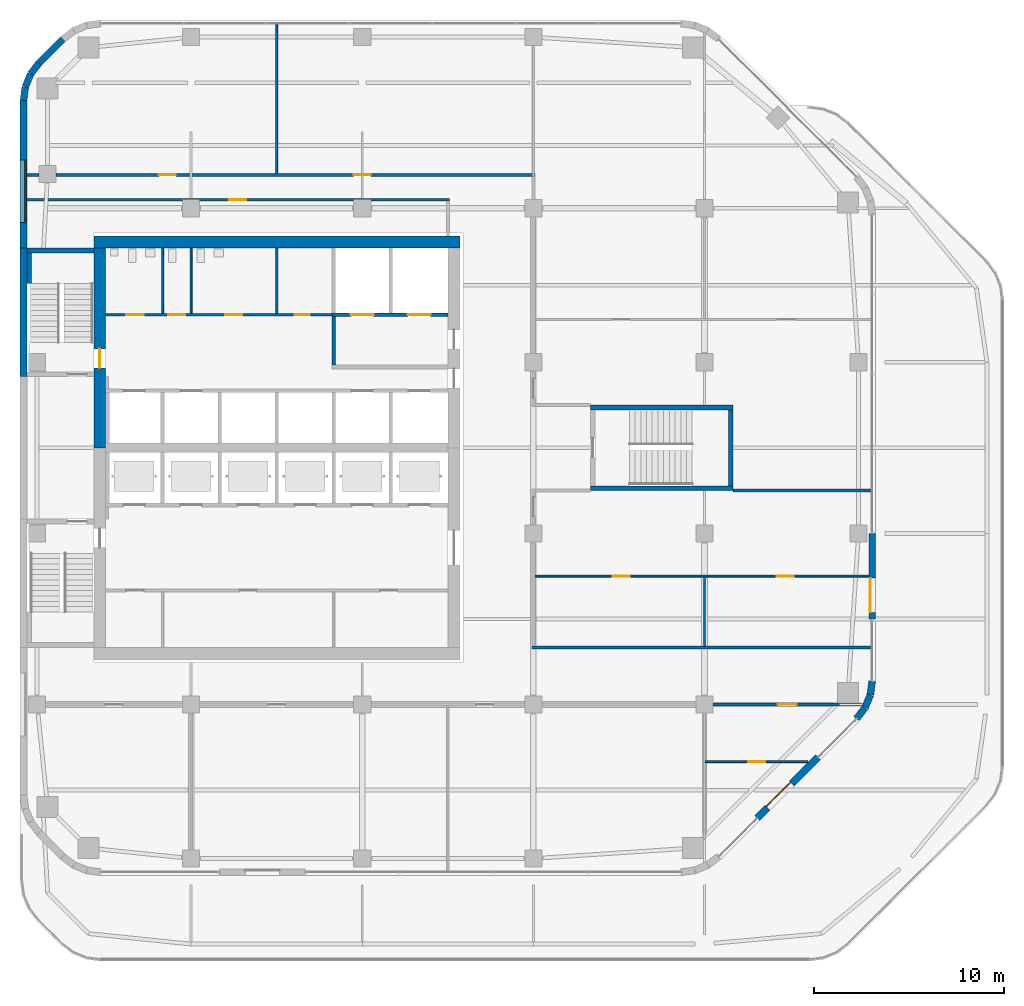
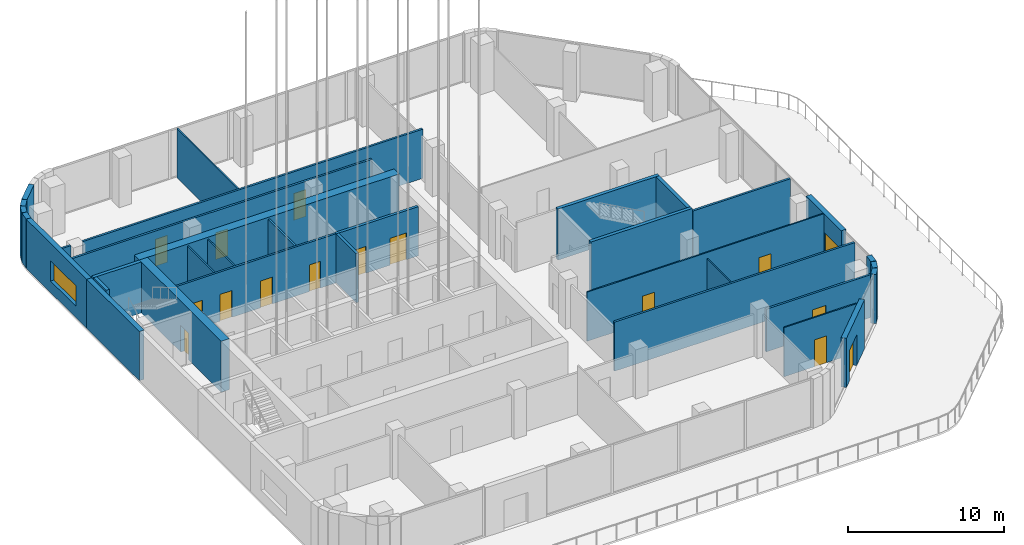
# One storey, part 25 of 29: 34 walls, 16 doors, 1 window, 17 openings.
"""IFC4 building model written with IfcOpenShell, lengths in metres."""

from ifc_helpers import new_model, si_unit, direction, frame, frame_2d, origin, place, context, subcontext, project, spatial, rectangle, extrude, material, layer, layer_set, type_object, element, fill, save


model = new_model("IFC4")

# Units and contexts
model_context = context("Model", 3, precision=1e-05, world=origin(), true_north=direction((0.0, 1.0)))
body_context = subcontext(model_context, "Body", "Model", "MODEL_VIEW")
ifc_project = project(units=[si_unit("LENGTHUNIT", "METRE"), si_unit("AREAUNIT", "SQUARE_METRE"), si_unit("VOLUMEUNIT", "CUBIC_METRE"), si_unit("PLANEANGLEUNIT", "RADIAN"), si_unit("MASSUNIT", "GRAM", prefix="KILO")], contexts=[model_context])

# Site, building, storey
site_placement = place(None, origin())
site = spatial("IfcSite", under=ifc_project, at=site_placement, CompositionType="ELEMENT")
building_placement = place(site_placement, origin())
building = spatial("IfcBuilding", under=site, at=building_placement, Name="Cinnabar Reach Civic Tower", CompositionType="ELEMENT")
storey_placement = place(building_placement, frame((0.0, 0.0, 149.0)))
storey = spatial("IfcBuildingStorey", under=building, at=storey_placement, Name="L35", CompositionType="ELEMENT", Elevation=149.0)

# Walls
ifc_material_1 = material(Name="Facing brick with insulated backing", Category="masonry")
ifc_layer_1 = layer(ifc_material_1, 0.36)
ifc_layer_set_1 = layer_set([ifc_layer_1], Name="Brick corner wall")
wall_type_1 = type_object("IfcWallType", Name="Brick corner wall", PredefinedType="STANDARD", material=ifc_layer_set_1)
wall_1_placement = place(storey_placement, frame((43.9998, 17.2587, 0.0), z_axis=(0.0, 0.0, 1.0), x_axis=(0.608802368033, 0.793321924995, 0.0)))
element("IfcWall", 1, at=wall_1_placement, inside=storey, type_object=wall_type_1, Name="Brick corner wall", PredefinedType="STANDARD", context=body_context, shape_type="SweptSolid", body=[
    extrude(rectangle(XDim=0.7132, YDim=0.36, at=frame_2d((0.3566, 0.0))), origin(), (0.0, 0.0, 1.0), 3.85),
])
for number, where, z_axis, x_axis, name in (
    (2, (44.4452, 17.8439, 0.0), (0.0, 0.0, 1.0), (0.382702709855, 0.923871547278, 0.0), "Brick corner wall"),
    (3, (44.7239, 18.5244, 0.0), (0.0, 0.0, 1.0), (0.13055608231, 0.99144092581, 0.0), "Brick corner wall"),
):
    element("IfcWall", number, at=place(storey_placement, frame(where, z_axis=z_axis, x_axis=x_axis)), inside=storey, type_object=wall_type_1, Name=name, PredefinedType="STANDARD", context=body_context, shape_type="SweptSolid", body=[
        extrude(rectangle(XDim=0.7131, YDim=0.36, at=frame_2d((0.3565, 0.0))), origin(), (0.0, 0.0, 1.0), 3.85),
    ])
wall_2_placement = place(storey_placement, frame((1.0002, 51.7413, 0.0), z_axis=(0.0, 0.0, 1.0), x_axis=(-0.608802368033, -0.793321924995, 0.0)))
element("IfcWall", 4, at=wall_2_placement, inside=storey, type_object=wall_type_1, Name="Brick corner wall", PredefinedType="STANDARD", context=body_context, shape_type="SweptSolid", body=[
    extrude(rectangle(XDim=0.7132, YDim=0.36, at=frame_2d((0.3566, 0.0))), origin(), (0.0, 0.0, 1.0), 3.85),
])
for number, where, z_axis, x_axis, name in (
    (5, (0.5548, 51.1561, 0.0), (0.0, 0.0, 1.0), (-0.382702709855, -0.923871547278, 0.0), "Brick corner wall"),
    (6, (0.2761, 50.4756, 0.0), (0.0, 0.0, 1.0), (-0.13055608231, -0.99144092581, 0.0), "Brick corner wall"),
):
    element("IfcWall", number, at=place(storey_placement, frame(where, z_axis=z_axis, x_axis=x_axis)), inside=storey, type_object=wall_type_1, Name=name, PredefinedType="STANDARD", context=body_context, shape_type="SweptSolid", body=[
        extrude(rectangle(XDim=0.7131, YDim=0.36, at=frame_2d((0.3565, 0.0))), origin(), (0.0, 0.0, 1.0), 3.85),
    ])

# Wall, opening, door
ifc_layer_2 = layer(ifc_material_1, 0.36)
ifc_layer_set_2 = layer_set([ifc_layer_2], Name="Brick pier and spandrel wall")
wall_type_2 = type_object("IfcWallType", Name="Brick pier and spandrel wall", PredefinedType="STANDARD", material=ifc_layer_set_2)
wall_3_placement = place(storey_placement, frame((38.7817, 12.0363, 0.0), z_axis=(0.0, 0.0, 1.0), x_axis=(0.707106781187, 0.707106781187, 0.0)))
wall_3 = element("IfcWall", 7, at=wall_3_placement, inside=storey, type_object=wall_type_2, Name="Brick facade wall", PredefinedType="STANDARD", context=body_context, shape_type="SweptSolid", body=[
    extrude(rectangle(XDim=4.5, YDim=0.36, at=frame_2d((2.25, 0.0))), origin(), (0.0, 0.0, 1.0), 3.85),
])
opening_1_placement = place(wall_3_placement, frame((0.75, 0.0, 0.0)))
opening_1 = element("IfcOpeningElement", 8, at=opening_1_placement, cuts=wall_3, Name="Opening D7508", PredefinedType="OPENING", context=body_context, shape_type="SweptSolid", body=[
    extrude(rectangle(XDim=1.8, YDim=2.4, at=frame_2d((0.9, 1.2))), frame((0.0, 0.19, 0.0), z_axis=(0.0, -1.0, 0.0), x_axis=(1.0, 0.0, 0.0)), (0.0, 0.0, 1.0), 0.38),
])
ifc_material_2 = material(Name="Clear glazing in aluminium frame", Category="aluminium")
door_type_1 = type_object("IfcDoorType", Name="Facade terrace double door", OperationType="SINGLE_SWING_LEFT", PredefinedType="DOOR", material=ifc_material_2)
door_1_placement = place(opening_1_placement, frame((1.8, 0.0, 0.0), z_axis=(0.0, 0.0, 1.0), x_axis=(-1.0, 0.0, 0.0)))
door_1 = element("IfcDoor", 9, at=door_1_placement, inside=storey, type_object=door_type_1, Name="Terrace door", OperationType="DOUBLE_DOOR_SINGLE_SWING", OverallHeight=2.4, OverallWidth=1.8, PredefinedType="DOOR", context=body_context, shape_type="SweptSolid", body=[
    extrude(rectangle(XDim=1.8, YDim=2.4, at=frame_2d((0.9, 1.2))), frame((0.0, -0.07, 0.0), z_axis=(0.0, -1.0, 0.0), x_axis=(1.0, 0.0, 0.0)), (0.0, 0.0, 1.0), 0.05),
])
fill(opening_1, door_1)

wall_4_placement = place(storey_placement, frame((44.82, 22.5, 0.0), z_axis=(0.0, 0.0, 1.0), x_axis=(0.0, 1.0, 0.0)))
wall_4 = element("IfcWall", 10, at=wall_4_placement, inside=storey, type_object=wall_type_2, Name="Brick facade wall", PredefinedType="STANDARD", context=body_context, shape_type="SweptSolid", body=[
    extrude(rectangle(XDim=4.5, YDim=0.36, at=frame_2d((2.25, 0.0))), origin(), (0.0, 0.0, 1.0), 3.85),
])
opening_2_placement = place(wall_4_placement, frame((0.35, 0.0, 0.0)))
opening_2 = element("IfcOpeningElement", 11, at=opening_2_placement, cuts=wall_4, Name="Opening D7509", PredefinedType="OPENING", context=body_context, shape_type="SweptSolid", body=[
    extrude(rectangle(XDim=1.8, YDim=2.4, at=frame_2d((0.9, 1.2))), frame((0.0, 0.19, 0.0), z_axis=(0.0, -1.0, 0.0), x_axis=(1.0, 0.0, 0.0)), (0.0, 0.0, 1.0), 0.38),
])
door_2_placement = place(opening_2_placement, frame((1.8, 0.0, 0.0), z_axis=(0.0, 0.0, 1.0), x_axis=(-1.0, 0.0, 0.0)))
door_2 = element("IfcDoor", 12, at=door_2_placement, inside=storey, type_object=door_type_1, Name="Terrace door", OperationType="DOUBLE_DOOR_SINGLE_SWING", OverallHeight=2.4, OverallWidth=1.8, PredefinedType="DOOR", context=body_context, shape_type="SweptSolid", body=[
    extrude(rectangle(XDim=1.8, YDim=2.4, at=frame_2d((0.9, 1.2))), frame((0.0, -0.07, 0.0), z_axis=(0.0, -1.0, 0.0), x_axis=(1.0, 0.0, 0.0)), (0.0, 0.0, 1.0), 0.05),
])
fill(opening_2, door_2)

# Wall
wall_5_placement = place(storey_placement, frame((2.2486, 52.994, 0.0), z_axis=(0.0, 0.0, 1.0), x_axis=(-0.707106781187, -0.707106781187, 0.0)))
element("IfcWall", 13, at=wall_5_placement, inside=storey, type_object=wall_type_2, Name="Brick facade wall", PredefinedType="STANDARD", context=body_context, shape_type="SweptSolid", body=[
    extrude(rectangle(XDim=1.7573, YDim=0.36, at=frame_2d((0.8787, 0.0))), origin(), (0.0, 0.0, 1.0), 3.85),
])

# Wall, opening, window
wall_6_placement = place(storey_placement, frame((0.18, 49.7574, 0.0), z_axis=(0.0, 0.0, 1.0), x_axis=(0.0, -1.0, 0.0)))
wall_6 = element("IfcWall", 14, at=wall_6_placement, inside=storey, type_object=wall_type_2, Name="Brick facade wall", PredefinedType="STANDARD", context=body_context, shape_type="SweptSolid", body=[
    extrude(rectangle(XDim=7.7574, YDim=0.36, at=frame_2d((3.8787, 0.0))), origin(), (0.0, 0.0, 1.0), 3.85),
])
opening_3_placement = place(wall_6_placement, frame((3.1074, 0.0, 0.9)))
opening_3 = element("IfcOpeningElement", 15, at=opening_3_placement, cuts=wall_6, Name="Opening W1739", PredefinedType="OPENING", context=body_context, shape_type="SweptSolid", body=[
    extrude(rectangle(XDim=3.3, YDim=1.6, at=frame_2d((1.65, 0.8))), frame((0.0, 0.19, 0.0), z_axis=(0.0, -1.0, 0.0), x_axis=(1.0, 0.0, 0.0)), (0.0, 0.0, 1.0), 0.38),
])
ifc_material_3 = material(Name="Clear double glazing in aluminium frame", Category="aluminium")
window_type = type_object("IfcWindowType", Name="Deep-set window A", PartitioningType="SINGLE_PANEL", PredefinedType="WINDOW", material=ifc_material_3)
window_placement = place(opening_3_placement, origin())
window = element("IfcWindow", 16, at=window_placement, inside=storey, type_object=window_type, Name="Window west face", OverallHeight=1.6, OverallWidth=3.3, PartitioningType="SINGLE_PANEL", PredefinedType="WINDOW", context=body_context, shape_type="SweptSolid", body=[
    extrude(rectangle(XDim=3.3, YDim=1.6, at=frame_2d((1.65, 0.8))), frame((0.0, 0.13, 0.0), z_axis=(0.0, -1.0, 0.0), x_axis=(1.0, 0.0, 0.0)), (0.0, 0.0, 1.0), 0.06),
])
fill(opening_3, window)

# Wall
wall_7_placement = place(storey_placement, frame((0.18, 42.0, 0.0), z_axis=(0.0, 0.0, 1.0), x_axis=(0.0, -1.0, 0.0)))
element("IfcWall", 17, at=wall_7_placement, inside=storey, type_object=wall_type_2, Name="Brick facade wall", PredefinedType="STANDARD", context=body_context, shape_type="SweptSolid", body=[
    extrude(rectangle(XDim=6.75, YDim=0.36, at=frame_2d((3.375, 0.0))), origin(), (0.0, 0.0, 1.0), 3.85),
])

# Wall, opening, door
ifc_material_4 = material(Name="Concrete C70", Category="concrete")
ifc_layer_3 = layer(ifc_material_4, 0.6)
ifc_layer_set_3 = layer_set([ifc_layer_3], Name="Core wall 600 EI 180")
wall_type_3 = type_object("IfcWallType", Name="Core wall 600 EI 180", PredefinedType="SOLIDWALL", material=ifc_layer_set_3)
wall_8_placement = place(storey_placement, frame((4.2, 42.0, 0.0), z_axis=(0.0, 0.0, 1.0), x_axis=(0.0, -1.0, 0.0)))
wall_8 = element("IfcWall", 18, at=wall_8_placement, inside=storey, type_object=wall_type_3, Name="Core wall T1 L35 W", PredefinedType="SOLIDWALL", context=body_context, shape_type="SweptSolid", body=[
    extrude(rectangle(XDim=10.5, YDim=0.6, at=frame_2d((5.25, 0.0))), origin(), (0.0, 0.0, 1.0), 4.0),
])
opening_4_placement = place(wall_8_placement, frame((5.3, 0.0, 0.0)))
opening_4 = element("IfcOpeningElement", 19, at=opening_4_placement, cuts=wall_8, Name="Opening D4413", PredefinedType="OPENING", context=body_context, shape_type="SweptSolid", body=[
    extrude(rectangle(XDim=1.0, YDim=2.1, at=frame_2d((0.5, 1.05))), frame((0.0, 0.31, 0.0), z_axis=(0.0, -1.0, 0.0), x_axis=(1.0, 0.0, 0.0)), (0.0, 0.0, 1.0), 0.62),
])
ifc_material_5 = material(Name="Timber door leaf in steel frame", Category="steel")
door_type_2 = type_object("IfcDoorType", Name="Stair door 1000 x 2100 T1", OperationType="SINGLE_SWING_LEFT", PredefinedType="DOOR", material=ifc_material_5)
door_3_placement = place(opening_4_placement, frame((1.0, 0.0, 0.0), z_axis=(0.0, 0.0, 1.0), x_axis=(-1.0, 0.0, 0.0)))
door_3 = element("IfcDoor", 20, at=door_3_placement, inside=storey, type_object=door_type_2, Name="Door D4413", OperationType="SINGLE_SWING_LEFT", OverallHeight=2.1, OverallWidth=1.0, PredefinedType="DOOR", context=body_context, shape_type="SweptSolid", body=[
    extrude(rectangle(XDim=1.0, YDim=2.1, at=frame_2d((0.5, 1.05))), frame((0.0, 0.025, 0.0), z_axis=(0.0, -1.0, 0.0), x_axis=(1.0, 0.0, 0.0)), (0.0, 0.0, 1.0), 0.05),
])
fill(opening_4, door_3)

# Wall
ifc_layer_4 = layer(ifc_material_4, 0.65)
ifc_layer_set_4 = layer_set([ifc_layer_4], Name="Core wall 650 EI 180")
wall_type_4 = type_object("IfcWallType", Name="Core wall 650 EI 180", PredefinedType="SOLIDWALL", material=ifc_layer_set_4)
wall_9_placement = place(storey_placement, frame((23.15, 42.325, 0.0), z_axis=(0.0, 0.0, 1.0), x_axis=(-1.0, 0.0, 0.0)))
element("IfcWall", 21, at=wall_9_placement, inside=storey, type_object=wall_type_4, Name="Core wall T1 L35 N", PredefinedType="SOLIDWALL", context=body_context, shape_type="SweptSolid", body=[
    extrude(rectangle(XDim=19.25, YDim=0.65, at=frame_2d((9.625, 0.0))), origin(), (0.0, 0.0, 1.0), 4.0),
])

# Wall, opening, door
ifc_material_6 = material(Name="Gypsum board on steel studs, double layer", Category="steel")
ifc_layer_5 = layer(ifc_material_6, 0.15)
ifc_layer_set_5 = layer_set([ifc_layer_5], Name="Corridor wall 150 T1")
wall_type_5 = type_object("IfcWallType", Name="Corridor wall 150 T1", PredefinedType="PARTITIONING", material=ifc_layer_set_5)
wall_10_placement = place(storey_placement, frame((36.45, 18.0, 0.0), z_axis=(0.0, 0.0, 1.0), x_axis=(1.0, 0.0, 0.0)))
wall_10 = element("IfcWall", 22, at=wall_10_placement, inside=storey, type_object=wall_type_5, Name="Corridor wall 24", PredefinedType="PARTITIONING", context=body_context, shape_type="SweptSolid", body=[
    extrude(rectangle(XDim=7.834, YDim=0.15, at=frame_2d((3.917, 0.0))), origin(), (0.0, 0.0, 1.0), 3.35),
])
opening_5_placement = place(wall_10_placement, frame((3.4, 0.0, 0.0)))
opening_5 = element("IfcOpeningElement", 23, at=opening_5_placement, cuts=wall_10, Name="Opening D4447", PredefinedType="OPENING", context=body_context, shape_type="SweptSolid", body=[
    extrude(rectangle(XDim=1.0, YDim=2.1, at=frame_2d((0.5, 1.05))), frame((0.0, 0.085, 0.0), z_axis=(0.0, -1.0, 0.0), x_axis=(1.0, 0.0, 0.0)), (0.0, 0.0, 1.0), 0.17),
])
door_type_3 = type_object("IfcDoorType", Name="Tenancy entrance door 1000 x 2100 T1", OperationType="SINGLE_SWING_LEFT", PredefinedType="DOOR", material=ifc_material_5)
door_4_placement = place(opening_5_placement, frame((1.0, 0.0, 0.0), z_axis=(0.0, 0.0, 1.0), x_axis=(-1.0, 0.0, 0.0)))
door_4 = element("IfcDoor", 24, at=door_4_placement, inside=storey, type_object=door_type_3, Name="Door D4447", OperationType="SINGLE_SWING_LEFT", OverallHeight=2.1, OverallWidth=1.0, PredefinedType="DOOR", context=body_context, shape_type="SweptSolid", body=[
    extrude(rectangle(XDim=1.0, YDim=2.1, at=frame_2d((0.5, 1.05))), frame((0.0, 0.025, 0.0), z_axis=(0.0, -1.0, 0.0), x_axis=(1.0, 0.0, 0.0)), (0.0, 0.0, 1.0), 0.05),
])
fill(opening_5, door_4)

# Wall, openings, doors
wall_11_placement = place(storey_placement, frame((1.9031, 45.85, 0.0), z_axis=(0.0, 0.0, 1.0), x_axis=(1.0, 0.0, 0.0)))
wall_11 = element("IfcWall", 25, at=wall_11_placement, inside=storey, type_object=wall_type_5, Name="Corridor wall 25", PredefinedType="PARTITIONING", context=body_context, shape_type="SweptSolid", body=[
    extrude(rectangle(XDim=25.1719, YDim=0.15, at=frame_2d((12.586, 0.0))), origin(), (0.0, 0.0, 1.0), 3.85),
])
opening_6_placement = place(wall_11_placement, frame((5.4, 0.0, 0.0)))
opening_6 = element("IfcOpeningElement", 26, at=opening_6_placement, cuts=wall_11, Name="Opening D4449", PredefinedType="OPENING", context=body_context, shape_type="SweptSolid", body=[
    extrude(rectangle(XDim=0.9, YDim=2.1, at=frame_2d((0.45, 1.05))), frame((0.0, 0.085, 0.0), z_axis=(0.0, -1.0, 0.0), x_axis=(1.0, 0.0, 0.0)), (0.0, 0.0, 1.0), 0.17),
])
opening_7_placement = place(wall_11_placement, frame((15.6469, 0.0, 0.0)))
opening_7 = element("IfcOpeningElement", 27, at=opening_7_placement, cuts=wall_11, Name="Opening D4450", PredefinedType="OPENING", context=body_context, shape_type="SweptSolid", body=[
    extrude(rectangle(XDim=0.9, YDim=2.1, at=frame_2d((0.45, 1.05))), frame((0.0, 0.085, 0.0), z_axis=(0.0, -1.0, 0.0), x_axis=(1.0, 0.0, 0.0)), (0.0, 0.0, 1.0), 0.17),
])
door_type_4 = type_object("IfcDoorType", Name="Single swing door 900 x 2100 corridor T1", OperationType="SINGLE_SWING_LEFT", PredefinedType="DOOR", material=ifc_material_5)
door_5_placement = place(opening_6_placement, origin())
door_5 = element("IfcDoor", 28, at=door_5_placement, inside=storey, type_object=door_type_4, Name="Door D4449", OperationType="SINGLE_SWING_RIGHT", OverallHeight=2.1, OverallWidth=0.9, PredefinedType="DOOR", context=body_context, shape_type="SweptSolid", body=[
    extrude(rectangle(XDim=0.9, YDim=2.1, at=frame_2d((0.45, 1.05))), frame((0.0, 0.025, 0.0), z_axis=(0.0, -1.0, 0.0), x_axis=(1.0, 0.0, 0.0)), (0.0, 0.0, 1.0), 0.05),
])
fill(opening_6, door_5)
door_6_placement = place(opening_7_placement, origin())
door_6 = element("IfcDoor", 29, at=door_6_placement, inside=storey, type_object=door_type_4, Name="Door D4450", OperationType="SINGLE_SWING_RIGHT", OverallHeight=2.1, OverallWidth=0.9, PredefinedType="DOOR", context=body_context, shape_type="SweptSolid", body=[
    extrude(rectangle(XDim=0.9, YDim=2.1, at=frame_2d((0.45, 1.05))), frame((0.0, 0.025, 0.0), z_axis=(0.0, -1.0, 0.0), x_axis=(1.0, 0.0, 0.0)), (0.0, 0.0, 1.0), 0.05),
])
fill(opening_7, door_6)

# Wall
wall_12_placement = place(storey_placement, frame((0.36, 45.85, 0.0), z_axis=(0.0, 0.0, 1.0), x_axis=(1.0, 0.0, 0.0)))
element("IfcWall", 30, at=wall_12_placement, inside=storey, type_object=wall_type_5, Name="Corridor wall 26", PredefinedType="PARTITIONING", context=body_context, shape_type="SweptSolid", body=[
    extrude(rectangle(XDim=0.6431, YDim=0.15, at=frame_2d((0.3216, 0.0))), origin(), (0.0, 0.0, 1.0), 3.85),
])

# Wall, opening, door
wall_13_placement = place(storey_placement, frame((0.36, 44.55, 0.0), z_axis=(0.0, 0.0, 1.0), x_axis=(1.0, 0.0, 0.0)))
wall_13 = element("IfcWall", 31, at=wall_13_placement, inside=storey, type_object=wall_type_5, Name="Corridor wall 27", PredefinedType="PARTITIONING", context=body_context, shape_type="SweptSolid", body=[
    extrude(rectangle(XDim=22.215, YDim=0.15, at=frame_2d((11.1075, 0.0))), origin(), (0.0, 0.0, 1.0), 3.85),
])
opening_8_placement = place(wall_13_placement, frame((10.65, 0.0, 0.0)))
opening_8 = element("IfcOpeningElement", 32, at=opening_8_placement, cuts=wall_13, Name="Opening D5792", PredefinedType="OPENING", context=body_context, shape_type="SweptSolid", body=[
    extrude(rectangle(XDim=0.9, YDim=2.1, at=frame_2d((0.45, 1.05))), frame((0.0, 0.085, 0.0), z_axis=(0.0, -1.0, 0.0), x_axis=(1.0, 0.0, 0.0)), (0.0, 0.0, 1.0), 0.17),
])
door_7_placement = place(opening_8_placement, frame((0.9, 0.0, 0.0), z_axis=(0.0, 0.0, 1.0), x_axis=(-1.0, 0.0, 0.0)))
door_7 = element("IfcDoor", 33, at=door_7_placement, inside=storey, type_object=door_type_4, Name="Door D5792", OperationType="SINGLE_SWING_RIGHT", OverallHeight=2.1, OverallWidth=0.9, PredefinedType="DOOR", context=body_context, shape_type="SweptSolid", body=[
    extrude(rectangle(XDim=0.9, YDim=2.1, at=frame_2d((0.45, 1.05))), frame((0.0, 0.025, 0.0), z_axis=(0.0, -1.0, 0.0), x_axis=(1.0, 0.0, 0.0)), (0.0, 0.0, 1.0), 0.05),
])
fill(opening_8, door_7)

# Wall
wall_14_placement = place(storey_placement, frame((26.925, 21.0, 0.0), z_axis=(0.0, 0.0, 1.0), x_axis=(1.0, 0.0, 0.0)))
element("IfcWall", 34, at=wall_14_placement, inside=storey, type_object=wall_type_5, Name="Corridor wall 29", PredefinedType="PARTITIONING", context=body_context, shape_type="SweptSolid", body=[
    extrude(rectangle(XDim=17.815, YDim=0.15, at=frame_2d((8.9075, 0.0))), origin(), (0.0, 0.0, 1.0), 3.85),
])

# Wall, openings, doors
wall_15_placement = place(storey_placement, frame((4.5, 38.5, 0.0), z_axis=(0.0, 0.0, 1.0), x_axis=(1.0, 0.0, 0.0)))
wall_15 = element("IfcWall", 35, at=wall_15_placement, inside=storey, type_object=wall_type_5, Name="Corridor wall 33", PredefinedType="PARTITIONING", context=body_context, shape_type="SweptSolid", body=[
    extrude(rectangle(XDim=11.9, YDim=0.15, at=frame_2d((5.95, 0.0))), origin(), (0.0, 0.0, 1.0), 3.85),
])
opening_9_placement = place(wall_15_placement, frame((1.1, 0.0, 0.0)))
opening_9 = element("IfcOpeningElement", 36, at=opening_9_placement, cuts=wall_15, Name="Opening D4434", PredefinedType="OPENING", context=body_context, shape_type="SweptSolid", body=[
    extrude(rectangle(XDim=0.9, YDim=2.1, at=frame_2d((0.45, 1.05))), frame((0.0, 0.085, 0.0), z_axis=(0.0, -1.0, 0.0), x_axis=(1.0, 0.0, 0.0)), (0.0, 0.0, 1.0), 0.17),
])
opening_10_placement = place(wall_15_placement, frame((3.3, 0.0, 0.0)))
opening_10 = element("IfcOpeningElement", 37, at=opening_10_placement, cuts=wall_15, Name="Opening D4435", PredefinedType="OPENING", context=body_context, shape_type="SweptSolid", body=[
    extrude(rectangle(XDim=0.9, YDim=2.1, at=frame_2d((0.45, 1.05))), frame((0.0, 0.085, 0.0), z_axis=(0.0, -1.0, 0.0), x_axis=(1.0, 0.0, 0.0)), (0.0, 0.0, 1.0), 0.17),
])
opening_11_placement = place(wall_15_placement, frame((6.3, 0.0, 0.0)))
opening_11 = element("IfcOpeningElement", 38, at=opening_11_placement, cuts=wall_15, Name="Opening D4436", PredefinedType="OPENING", context=body_context, shape_type="SweptSolid", body=[
    extrude(rectangle(XDim=0.9, YDim=2.1, at=frame_2d((0.45, 1.05))), frame((0.0, 0.085, 0.0), z_axis=(0.0, -1.0, 0.0), x_axis=(1.0, 0.0, 0.0)), (0.0, 0.0, 1.0), 0.17),
])
opening_12_placement = place(wall_15_placement, frame((9.95, 0.0, 0.0)))
opening_12 = element("IfcOpeningElement", 39, at=opening_12_placement, cuts=wall_15, Name="Opening D4437", PredefinedType="OPENING", context=body_context, shape_type="SweptSolid", body=[
    extrude(rectangle(XDim=0.8, YDim=2.1, at=frame_2d((0.4, 1.05))), frame((0.0, 0.085, 0.0), z_axis=(0.0, -1.0, 0.0), x_axis=(1.0, 0.0, 0.0)), (0.0, 0.0, 1.0), 0.17),
])
door_type_5 = type_object("IfcDoorType", Name="Riser access door 800 x 2100 T1", OperationType="SINGLE_SWING_LEFT", PredefinedType="DOOR", material=ifc_material_5)
door_8_placement = place(opening_12_placement, origin())
door_8 = element("IfcDoor", 40, at=door_8_placement, inside=storey, type_object=door_type_5, Name="Door D4437", OperationType="SINGLE_SWING_LEFT", OverallHeight=2.1, OverallWidth=0.8, PredefinedType="DOOR", context=body_context, shape_type="SweptSolid", body=[
    extrude(rectangle(XDim=0.8, YDim=2.1, at=frame_2d((0.4, 1.05))), frame((0.0, 0.025, 0.0), z_axis=(0.0, -1.0, 0.0), x_axis=(1.0, 0.0, 0.0)), (0.0, 0.0, 1.0), 0.05),
])
fill(opening_12, door_8)
door_9_placement = place(opening_9_placement, origin())
door_9 = element("IfcDoor", 41, at=door_9_placement, inside=storey, type_object=door_type_4, Name="Door D4434", OperationType="SINGLE_SWING_RIGHT", OverallHeight=2.1, OverallWidth=0.9, PredefinedType="DOOR", context=body_context, shape_type="SweptSolid", body=[
    extrude(rectangle(XDim=0.9, YDim=2.1, at=frame_2d((0.45, 1.05))), frame((0.0, 0.025, 0.0), z_axis=(0.0, -1.0, 0.0), x_axis=(1.0, 0.0, 0.0)), (0.0, 0.0, 1.0), 0.05),
])
fill(opening_9, door_9)
door_10_placement = place(opening_10_placement, origin())
door_10 = element("IfcDoor", 42, at=door_10_placement, inside=storey, type_object=door_type_4, Name="Door D4435", OperationType="SINGLE_SWING_RIGHT", OverallHeight=2.1, OverallWidth=0.9, PredefinedType="DOOR", context=body_context, shape_type="SweptSolid", body=[
    extrude(rectangle(XDim=0.9, YDim=2.1, at=frame_2d((0.45, 1.05))), frame((0.0, 0.025, 0.0), z_axis=(0.0, -1.0, 0.0), x_axis=(1.0, 0.0, 0.0)), (0.0, 0.0, 1.0), 0.05),
])
fill(opening_10, door_10)
door_11_placement = place(opening_11_placement, origin())
door_11 = element("IfcDoor", 43, at=door_11_placement, inside=storey, type_object=door_type_4, Name="Door D4436", OperationType="SINGLE_SWING_LEFT", OverallHeight=2.1, OverallWidth=0.9, PredefinedType="DOOR", context=body_context, shape_type="SweptSolid", body=[
    extrude(rectangle(XDim=0.9, YDim=2.1, at=frame_2d((0.45, 1.05))), frame((0.0, 0.025, 0.0), z_axis=(0.0, -1.0, 0.0), x_axis=(1.0, 0.0, 0.0)), (0.0, 0.0, 1.0), 0.05),
])
fill(opening_11, door_11)

ifc_material_7 = material(Name="Gypsum board on steel studs", Category="steel")
ifc_layer_6 = layer(ifc_material_7, 0.1)
ifc_layer_set_6 = layer_set([ifc_layer_6], Name="Partition wall 100 T1")
wall_type_6 = type_object("IfcWallType", Name="Partition wall 100 T1", PredefinedType="PARTITIONING", material=ifc_layer_set_6)
wall_16_placement = place(storey_placement, frame((27.075, 24.75, 0.0), z_axis=(0.0, 0.0, 1.0), x_axis=(1.0, 0.0, 0.0)))
wall_16 = element("IfcWall", 44, at=wall_16_placement, inside=storey, type_object=wall_type_6, Name="Partition wall 43", PredefinedType="PARTITIONING", context=body_context, shape_type="SweptSolid", body=[
    extrude(rectangle(XDim=17.565, YDim=0.1, at=frame_2d((8.7825, 0.0))), origin(), (0.0, 0.0, 1.0), 3.85),
])
opening_13_placement = place(wall_16_placement, frame((4.1, 0.0, 0.0)))
opening_13 = element("IfcOpeningElement", 45, at=opening_13_placement, cuts=wall_16, Name="Opening D4442", PredefinedType="OPENING", context=body_context, shape_type="SweptSolid", body=[
    extrude(rectangle(XDim=0.9, YDim=2.1, at=frame_2d((0.45, 1.05))), frame((0.0, 0.06, 0.0), z_axis=(0.0, -1.0, 0.0), x_axis=(1.0, 0.0, 0.0)), (0.0, 0.0, 1.0), 0.12),
])
opening_14_placement = place(wall_16_placement, frame((12.725, 0.0, 0.0)))
opening_14 = element("IfcOpeningElement", 46, at=opening_14_placement, cuts=wall_16, Name="Opening D4443", PredefinedType="OPENING", context=body_context, shape_type="SweptSolid", body=[
    extrude(rectangle(XDim=0.9, YDim=2.1, at=frame_2d((0.45, 1.05))), frame((0.0, 0.06, 0.0), z_axis=(0.0, -1.0, 0.0), x_axis=(1.0, 0.0, 0.0)), (0.0, 0.0, 1.0), 0.12),
])
door_type_6 = type_object("IfcDoorType", Name="Single swing door 900 x 2100 T1", OperationType="SINGLE_SWING_LEFT", PredefinedType="DOOR", material=ifc_material_5)
door_12_placement = place(opening_13_placement, frame((0.9, 0.0, 0.0), z_axis=(0.0, 0.0, 1.0), x_axis=(-1.0, 0.0, 0.0)))
door_12 = element("IfcDoor", 47, at=door_12_placement, inside=storey, type_object=door_type_6, Name="Door D4442", OperationType="SINGLE_SWING_LEFT", OverallHeight=2.1, OverallWidth=0.9, PredefinedType="DOOR", context=body_context, shape_type="SweptSolid", body=[
    extrude(rectangle(XDim=0.9, YDim=2.1, at=frame_2d((0.45, 1.05))), frame((0.0, 0.025, 0.0), z_axis=(0.0, -1.0, 0.0), x_axis=(1.0, 0.0, 0.0)), (0.0, 0.0, 1.0), 0.05),
])
fill(opening_13, door_12)
door_13_placement = place(opening_14_placement, frame((0.9, 0.0, 0.0), z_axis=(0.0, 0.0, 1.0), x_axis=(-1.0, 0.0, 0.0)))
door_13 = element("IfcDoor", 48, at=door_13_placement, inside=storey, type_object=door_type_6, Name="Door D4443", OperationType="SINGLE_SWING_RIGHT", OverallHeight=2.1, OverallWidth=0.9, PredefinedType="DOOR", context=body_context, shape_type="SweptSolid", body=[
    extrude(rectangle(XDim=0.9, YDim=2.1, at=frame_2d((0.45, 1.05))), frame((0.0, 0.025, 0.0), z_axis=(0.0, -1.0, 0.0), x_axis=(1.0, 0.0, 0.0)), (0.0, 0.0, 1.0), 0.05),
])
fill(opening_14, door_13)

# Wall
wall_17_placement = place(storey_placement, frame((13.5, 45.925, 0.0), z_axis=(0.0, 0.0, 1.0), x_axis=(0.0, 1.0, 0.0)))
element("IfcWall", 49, at=wall_17_placement, inside=storey, type_object=wall_type_6, Name="Partition wall 50", PredefinedType="PARTITIONING", context=body_context, shape_type="SweptSolid", body=[
    extrude(rectangle(XDim=7.815, YDim=0.1, at=frame_2d((3.9075, 0.0))), origin(), (0.0, 0.0, 1.0), 3.85),
])

# Wall, opening, door
wall_18_placement = place(storey_placement, frame((36.05, 15.0, 0.0), z_axis=(0.0, 0.0, 1.0), x_axis=(1.0, 0.0, 0.0)))
wall_18 = element("IfcWall", 50, at=wall_18_placement, inside=storey, type_object=wall_type_6, Name="Partition wall 52", PredefinedType="PARTITIONING", context=body_context, shape_type="SweptSolid", body=[
    extrude(rectangle(XDim=5.3909, YDim=0.1, at=frame_2d((2.6955, 0.0))), origin(), (0.0, 0.0, 1.0), 3.85),
])
opening_15_placement = place(wall_18_placement, frame((2.25, 0.0, 0.0)))
opening_15 = element("IfcOpeningElement", 51, at=opening_15_placement, cuts=wall_18, Name="Opening D4448", PredefinedType="OPENING", context=body_context, shape_type="SweptSolid", body=[
    extrude(rectangle(XDim=0.9, YDim=2.1, at=frame_2d((0.45, 1.05))), frame((0.0, 0.06, 0.0), z_axis=(0.0, -1.0, 0.0), x_axis=(1.0, 0.0, 0.0)), (0.0, 0.0, 1.0), 0.12),
])
door_14_placement = place(opening_15_placement, frame((0.9, 0.0, 0.0), z_axis=(0.0, 0.0, 1.0), x_axis=(-1.0, 0.0, 0.0)))
door_14 = element("IfcDoor", 52, at=door_14_placement, inside=storey, type_object=door_type_6, Name="Door D4448", OperationType="SINGLE_SWING_LEFT", OverallHeight=2.1, OverallWidth=0.9, PredefinedType="DOOR", context=body_context, shape_type="SweptSolid", body=[
    extrude(rectangle(XDim=0.9, YDim=2.1, at=frame_2d((0.45, 1.05))), frame((0.0, 0.025, 0.0), z_axis=(0.0, -1.0, 0.0), x_axis=(1.0, 0.0, 0.0)), (0.0, 0.0, 1.0), 0.05),
])
fill(opening_15, door_14)

# Walls
wall_19_placement = place(storey_placement, frame((36.0, 21.075, 0.0), z_axis=(0.0, 0.0, 1.0), x_axis=(0.0, 1.0, 0.0)))
element("IfcWall", 53, at=wall_19_placement, inside=storey, type_object=wall_type_6, Name="Partition wall 53", PredefinedType="PARTITIONING", context=body_context, shape_type="SweptSolid", body=[
    extrude(rectangle(XDim=3.625, YDim=0.1, at=frame_2d((1.8125, 0.0))), origin(), (0.0, 0.0, 1.0), 3.362),
])
for number, where, z_axis, x_axis, name in (
    (54, (7.5, 38.575, 0.0), (0.0, 0.0, 1.0), (0.0, 1.0, 0.0), "Partition wall 54"),
    (55, (9.0, 38.575, 0.0), (0.0, 0.0, 1.0), (0.0, 1.0, 0.0), "Partition wall 55"),
):
    element("IfcWall", number, at=place(storey_placement, frame(where, z_axis=z_axis, x_axis=x_axis)), inside=storey, type_object=wall_type_6, Name=name, PredefinedType="PARTITIONING", context=body_context, shape_type="SweptSolid", body=[
        extrude(rectangle(XDim=3.425, YDim=0.1, at=frame_2d((1.7125, 0.0))), origin(), (0.0, 0.0, 1.0), 3.85),
    ])

# Wall, openings, doors
ifc_material_8 = material(Name="Concrete C40", Category="concrete")
ifc_layer_7 = layer(ifc_material_8, 0.2)
ifc_layer_set_7 = layer_set([ifc_layer_7], Name="Refuge compartment wall 200 T1")
wall_type_7 = type_object("IfcWallType", Name="Refuge compartment wall 200 T1", PredefinedType="PARTITIONING", material=ifc_layer_set_7)
wall_20_placement = place(storey_placement, frame((16.4, 38.5, 0.0), z_axis=(0.0, 0.0, 1.0), x_axis=(1.0, 0.0, 0.0)))
wall_20 = element("IfcWall", 56, at=wall_20_placement, inside=storey, type_object=wall_type_7, Name="Refuge compartment wall 2", PredefinedType="PARTITIONING", context=body_context, shape_type="SweptSolid", body=[
    extrude(rectangle(XDim=6.1, YDim=0.2, at=frame_2d((3.05, 0.0))), origin(), (0.0, 0.0, 1.0), 3.85),
])
opening_16_placement = place(wall_20_placement, frame((1.0, 0.0, 0.0)))
opening_16 = element("IfcOpeningElement", 57, at=opening_16_placement, cuts=wall_20, Name="Opening D4425", PredefinedType="OPENING", context=body_context, shape_type="SweptSolid", body=[
    extrude(rectangle(XDim=1.2, YDim=2.1, at=frame_2d((0.6, 1.05))), frame((0.0, 0.11, 0.0), z_axis=(0.0, -1.0, 0.0), x_axis=(1.0, 0.0, 0.0)), (0.0, 0.0, 1.0), 0.22),
])
opening_17_placement = place(wall_20_placement, frame((4.0, 0.0, 0.0)))
opening_17 = element("IfcOpeningElement", 58, at=opening_17_placement, cuts=wall_20, Name="Opening D4426", PredefinedType="OPENING", context=body_context, shape_type="SweptSolid", body=[
    extrude(rectangle(XDim=1.2, YDim=2.1, at=frame_2d((0.6, 1.05))), frame((0.0, 0.11, 0.0), z_axis=(0.0, -1.0, 0.0), x_axis=(1.0, 0.0, 0.0)), (0.0, 0.0, 1.0), 0.22),
])
ifc_material_9 = material(Name="Stainless steel sliding door", Category="steel")
door_type_7 = type_object("IfcDoorType", Name="Firefighting lift landing door 1200 x 2100 T1", OperationType="SLIDING_TO_LEFT", PredefinedType="DOOR", material=ifc_material_9)
door_15_placement = place(opening_16_placement, origin())
door_15 = element("IfcDoor", 59, at=door_15_placement, inside=storey, type_object=door_type_7, Name="Lift landing door FF1 L35", OperationType="SLIDING_TO_LEFT", OverallHeight=2.1, OverallWidth=1.2, PredefinedType="DOOR", context=body_context, shape_type="SweptSolid", body=[
    extrude(rectangle(XDim=1.2, YDim=2.1, at=frame_2d((0.6, 1.05))), frame((0.0, 0.025, 0.0), z_axis=(0.0, -1.0, 0.0), x_axis=(1.0, 0.0, 0.0)), (0.0, 0.0, 1.0), 0.05),
])
fill(opening_16, door_15)
door_16_placement = place(opening_17_placement, origin())
door_16 = element("IfcDoor", 60, at=door_16_placement, inside=storey, type_object=door_type_7, Name="Lift landing door FF2 L35", OperationType="SLIDING_TO_LEFT", OverallHeight=2.1, OverallWidth=1.2, PredefinedType="DOOR", context=body_context, shape_type="SweptSolid", body=[
    extrude(rectangle(XDim=1.2, YDim=2.1, at=frame_2d((0.6, 1.05))), frame((0.0, 0.025, 0.0), z_axis=(0.0, -1.0, 0.0), x_axis=(1.0, 0.0, 0.0)), (0.0, 0.0, 1.0), 0.05),
])
fill(opening_17, door_16)

# Walls
wall_21_placement = place(storey_placement, frame((16.5, 35.85, 0.0), z_axis=(0.0, 0.0, 1.0), x_axis=(0.0, 1.0, 0.0)))
element("IfcWall", 61, at=wall_21_placement, inside=storey, type_object=wall_type_7, Name="Refuge compartment wall 3", PredefinedType="PARTITIONING", context=body_context, shape_type="SweptSolid", body=[
    extrude(rectangle(XDim=2.55, YDim=0.2, at=frame_2d((1.275, 0.0))), origin(), (0.0, 0.0, 1.0), 3.85),
])
ifc_material_10 = material(Name="Blockwork", Category="masonry")
ifc_layer_8 = layer(ifc_material_10, 0.15)
ifc_layer_set_8 = layer_set([ifc_layer_8], Name="Riser wall 150 T1")
wall_type_8 = type_object("IfcWallType", Name="Riser wall 150 T1", PredefinedType="PARTITIONING", material=ifc_layer_set_8)
wall_22_placement = place(storey_placement, frame((13.5, 38.575, 0.0), z_axis=(0.0, 0.0, 1.0), x_axis=(0.0, 1.0, 0.0)))
element("IfcWall", 62, at=wall_22_placement, inside=storey, type_object=wall_type_8, Name="Riser wall 41", PredefinedType="PARTITIONING", context=body_context, shape_type="SweptSolid", body=[
    extrude(rectangle(XDim=3.425, YDim=0.15, at=frame_2d((1.7125, 0.0))), origin(), (0.0, 0.0, 1.0), 3.85),
])
ifc_material_11 = material(Name="Concrete C60", Category="concrete")
ifc_layer_9 = layer(ifc_material_11, 0.25)
ifc_layer_set_9 = layer_set([ifc_layer_9], Name="Stair shaft wall 250 EI 120")
wall_type_9 = type_object("IfcWallType", Name="Stair shaft wall 250 EI 120", PredefinedType="SOLIDWALL", material=ifc_layer_set_9)
wall_23_placement = place(storey_placement, frame((3.9, 41.875, 0.0), z_axis=(0.0, 0.0, 1.0), x_axis=(-1.0, 0.0, 0.0)))
element("IfcWall", 63, at=wall_23_placement, inside=storey, type_object=wall_type_9, Name="Stair shaft wall T1-S2 L35", PredefinedType="SOLIDWALL", context=body_context, shape_type="SweptSolid", body=[
    extrude(rectangle(XDim=3.54, YDim=0.25, at=frame_2d((1.77, 0.0))), origin(), (0.0, 0.0, 1.0), 4.0),
])
for number, where, z_axis, x_axis, name in (
    (64, (30.0, 29.375, 0.0), (0.0, 0.0, 1.0), (1.0, 0.0, 0.0), "Stair shaft wall T1-S3 L35"),
    (65, (37.5, 33.625, 0.0), (0.0, 0.0, 1.0), (-1.0, 0.0, 0.0), "Stair shaft wall T1-S3 L35"),
):
    element("IfcWall", number, at=place(storey_placement, frame(where, z_axis=z_axis, x_axis=x_axis)), inside=storey, type_object=wall_type_9, Name=name, PredefinedType="SOLIDWALL", context=body_context, shape_type="SweptSolid", body=[
        extrude(rectangle(XDim=7.5, YDim=0.25, at=frame_2d((3.75, 0.0))), origin(), (0.0, 0.0, 1.0), 4.0),
    ])
wall_24_placement = place(storey_placement, frame((37.375, 29.5, 0.0), z_axis=(0.0, 0.0, 1.0), x_axis=(0.0, 1.0, 0.0)))
element("IfcWall", 66, at=wall_24_placement, inside=storey, type_object=wall_type_9, Name="Stair shaft wall T1-S3 L35", PredefinedType="SOLIDWALL", context=body_context, shape_type="SweptSolid", body=[
    extrude(rectangle(XDim=4.0, YDim=0.25, at=frame_2d((2.0, 0.0))), origin(), (0.0, 0.0, 1.0), 4.0),
])
ifc_material_12 = material(Name="Concrete C40/50", Category="concrete")
ifc_layer_10 = layer(ifc_material_12, 0.24)
ifc_layer_set_10 = layer_set([ifc_layer_10], Name="T1 landing bearer wall 240")
wall_type_10 = type_object("IfcWallType", Name="T1 landing bearer wall 240", PredefinedType="STANDARD", material=ifc_layer_set_10)
wall_25_placement = place(storey_placement, frame((0.48, 40.13, 0.0), z_axis=(0.0, 0.0, 1.0), x_axis=(0.0, 1.0, 0.0)))
element("IfcWall", 67, at=wall_25_placement, inside=storey, type_object=wall_type_10, Name="T1-S2 landing bearer wall", PredefinedType="STANDARD", context=body_context, shape_type="SweptSolid", body=[
    extrude(rectangle(XDim=1.62, YDim=0.24, at=frame_2d((0.81, 0.0))), origin(), (0.0, 0.0, 1.0), 4.0),
])
ifc_layer_11 = layer(ifc_material_6, 0.15)
ifc_layer_set_11 = layer_set([ifc_layer_11], Name="Tenancy separating wall 150 T1")
wall_type_11 = type_object("IfcWallType", Name="Tenancy separating wall 150 T1", PredefinedType="PARTITIONING", material=ifc_layer_set_11)
wall_26_placement = place(storey_placement, frame((37.5, 29.25, 0.0), z_axis=(0.0, 0.0, 1.0), x_axis=(1.0, 0.0, 0.0)))
element("IfcWall", 68, at=wall_26_placement, inside=storey, type_object=wall_type_11, Name="Tenancy separating wall 42", PredefinedType="PARTITIONING", context=body_context, shape_type="SweptSolid", body=[
    extrude(rectangle(XDim=7.24, YDim=0.15, at=frame_2d((3.62, 0.0))), origin(), (0.0, 0.0, 1.0), 3.85),
])

save(model, "model.ifc")
